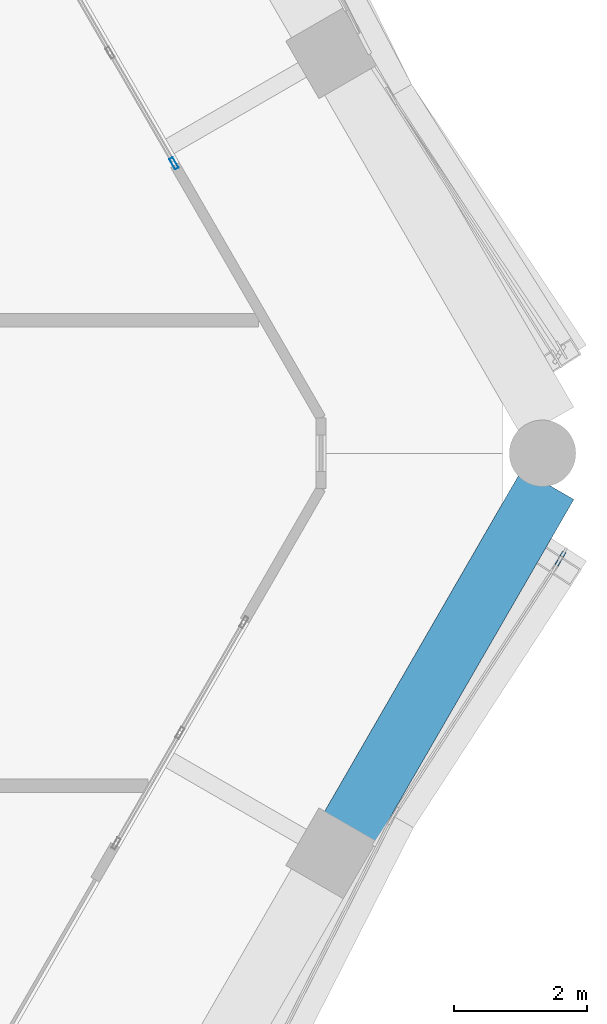
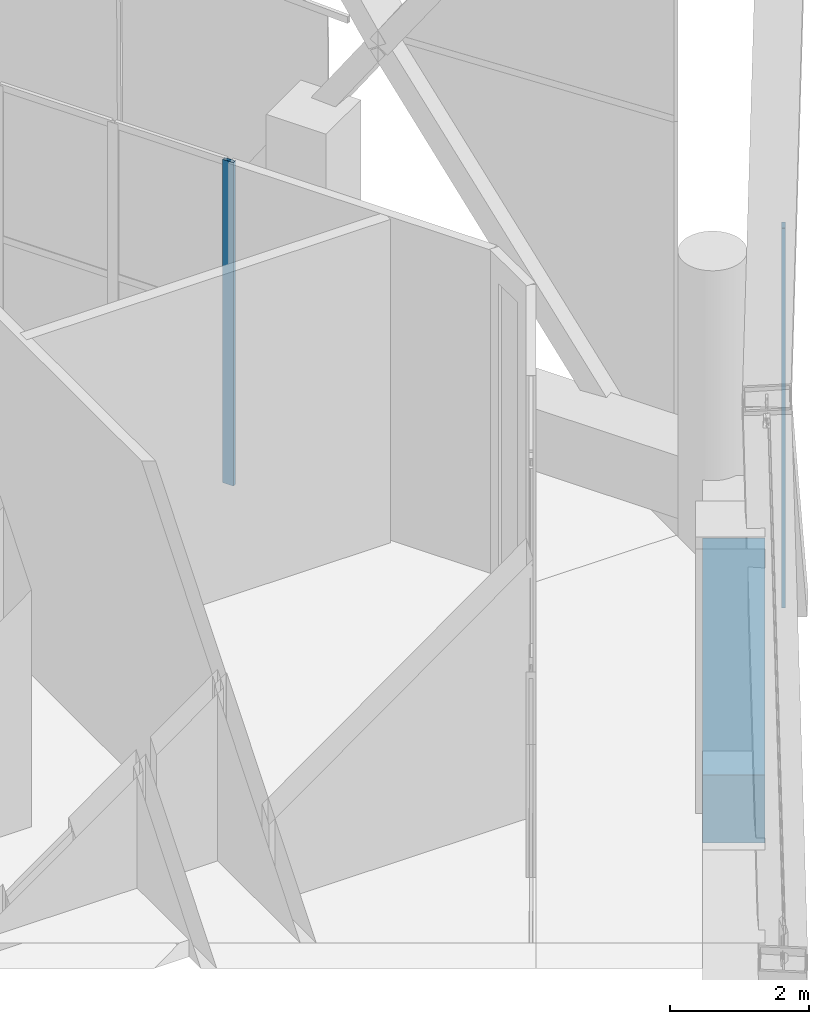
# One storey, part 24 of 43: 2 members, 1 beam, 2 elements without a shape of their own.
"""IFC4 building model written with IfcOpenShell, lengths in metres."""

from ifc_helpers import new_model, si_unit, direction, frame, origin, origin_2d, place, context, subcontext, project, spatial, rectangle, hollow_rectangle, extrude, material, material_profile, profile_set, type_object, element, aggregate, save


model = new_model("IFC4")

# Units and contexts
model_context = context("Model", 3, precision=1e-05, world=origin(), true_north=direction((0.0, 1.0)))
body_context = subcontext(model_context, "Body", "Model", "MODEL_VIEW")
ifc_project = project(units=[si_unit("LENGTHUNIT", "METRE"), si_unit("AREAUNIT", "SQUARE_METRE"), si_unit("VOLUMEUNIT", "CUBIC_METRE"), si_unit("PLANEANGLEUNIT", "RADIAN"), si_unit("MASSUNIT", "GRAM", prefix="KILO")], contexts=[model_context])

# Site, building, storey
site_placement = place(None, origin())
site = spatial("IfcSite", under=ifc_project, at=site_placement, CompositionType="ELEMENT")
building_placement = place(site_placement, origin())
building = spatial("IfcBuilding", under=site, at=building_placement, Name="Ostrander Bayou Hotel Tower", CompositionType="ELEMENT")
storey_placement = place(building_placement, frame((0.0, 0.0, 151.0)))
storey = spatial("IfcBuildingStorey", under=building, at=storey_placement, Name="L37", CompositionType="ELEMENT", Elevation=151.0)

# Curtain wall, member
ifc_material_1 = material(Name="Aluminium and clear glass", Category="aluminium")
curtain_wall_type_1 = type_object("IfcCurtainWallType", Name="CW-LAT lattice glazing", PredefinedType="NOTDEFINED", material=ifc_material_1)
curtain_wall_1_placement = place(storey_placement, origin())
curtain_wall_1 = element("IfcCurtainWall", 1, at=curtain_wall_1_placement, inside=storey, type_object=curtain_wall_type_1, Name="CW-LAT L37 SE 1", PredefinedType="NOTDEFINED")
ifc_material_2 = material(Name="Aluminium", Category="aluminium")
ifc_material_profile_1 = material_profile(ifc_material_2, hollow_rectangle(XDim=0.06005859375, YDim=0.159912109375, WallThickness=0.00390625, at=origin_2d()))
ifc_profile_set_1 = profile_set([ifc_material_profile_1], Name="Aluminium")
member_type_1 = type_object("IfcMemberType", Name="CW-LA mullion 60 x 160 mm", PredefinedType="MULLION", material=ifc_profile_set_1)
member_1_placement = place(storey_placement, frame((21.12451171875, -1.551513671875, -0.60009765625), z_axis=(-0.005605840685, -0.009692679377, 0.999937311293), x_axis=(0.86564734414, -0.500654247544, 0.0)))
member_1 = element("IfcMember", 2, at=member_1_placement, type_object=member_type_1, Name="CW-LAT mullion 8", PredefinedType="MULLION", context=body_context, shape_type="SweptSolid", body=[
    extrude(hollow_rectangle(XDim=0.06005859375, YDim=0.159912109375, WallThickness=0.00390625, at=origin_2d()), origin(), (0.0, 0.0, 1.0), 6.75048828125),
])
aggregate(curtain_wall_1, [member_1])

ifc_material_3 = material(Name="Aluminium and clear glass", Category="aluminium")
curtain_wall_type_2 = type_object("IfcCurtainWallType", Name="CW-SKY amenity glass wall", PredefinedType="NOTDEFINED", material=ifc_material_3)
curtain_wall_2_placement = place(storey_placement, origin())
curtain_wall_2 = element("IfcCurtainWall", 3, at=curtain_wall_2_placement, inside=storey, type_object=curtain_wall_type_2, Name="CW-SKY L37 NE 2", PredefinedType="NOTDEFINED")
ifc_material_4 = material(Name="Aluminium", Category="aluminium")
ifc_material_profile_2 = material_profile(ifc_material_4, hollow_rectangle(XDim=0.06005859375, YDim=0.179931640625, WallThickness=0.00390625, at=origin_2d()))
ifc_profile_set_2 = profile_set([ifc_material_profile_2], Name="Aluminium")
member_type_2 = type_object("IfcMemberType", Name="CW-SK mullion 60 x 180 mm", PredefinedType="MULLION", material=ifc_profile_set_2)
member_2_placement = place(storey_placement, frame((15.29345703125, 4.361083984375, 0.0), z_axis=(0.0, 0.0, 1.0), x_axis=(-0.866025463091, -0.499999897278, 0.0)))
member_2 = element("IfcMember", 4, at=member_2_placement, type_object=member_type_2, Name="CW-SKY mullion 1", PredefinedType="MULLION", context=body_context, shape_type="SweptSolid", body=[
    extrude(hollow_rectangle(XDim=0.06005859375, YDim=0.179931640625, WallThickness=0.00390625, at=origin_2d()), origin(), (0.0, 0.0, 1.0), 5.699951171875),
])
aggregate(curtain_wall_2, [member_2])

# Beam
ifc_material_5 = material(Name="Concrete f'c 60 MPa", Category="concrete")
ifc_material_profile_3 = material_profile(ifc_material_5, rectangle(XDim=0.89990234375, YDim=1.199951171875, at=origin_2d()))
ifc_profile_set_3 = profile_set([ifc_material_profile_3], Name="Concrete f'c 60 MPa")
beam_type = type_object("IfcBeamType", Name="SP3 spandrel beam 900 x 1200 mm f'c 60 MPa", PredefinedType="SPANDREL", material=ifc_profile_set_3)
beam_placement = place(storey_placement, frame((17.935546875, -5.634521484375, -0.60009765625), z_axis=(0.500004760619, 0.866022655223, 0.0), x_axis=(-0.866022655223, 0.500004760619, 0.0)))
element("IfcBeam", 5, at=beam_placement, inside=storey, type_object=beam_type, Name="SP3 L37 SE-3", PredefinedType="SPANDREL", context=body_context, shape_type="SweptSolid", body=[
    extrude(rectangle(XDim=0.89990234375, YDim=1.199951171875, at=origin_2d()), origin(), (0.0, 0.0, 1.0), 5.9638671875),
])

save(model, "model.ifc")
